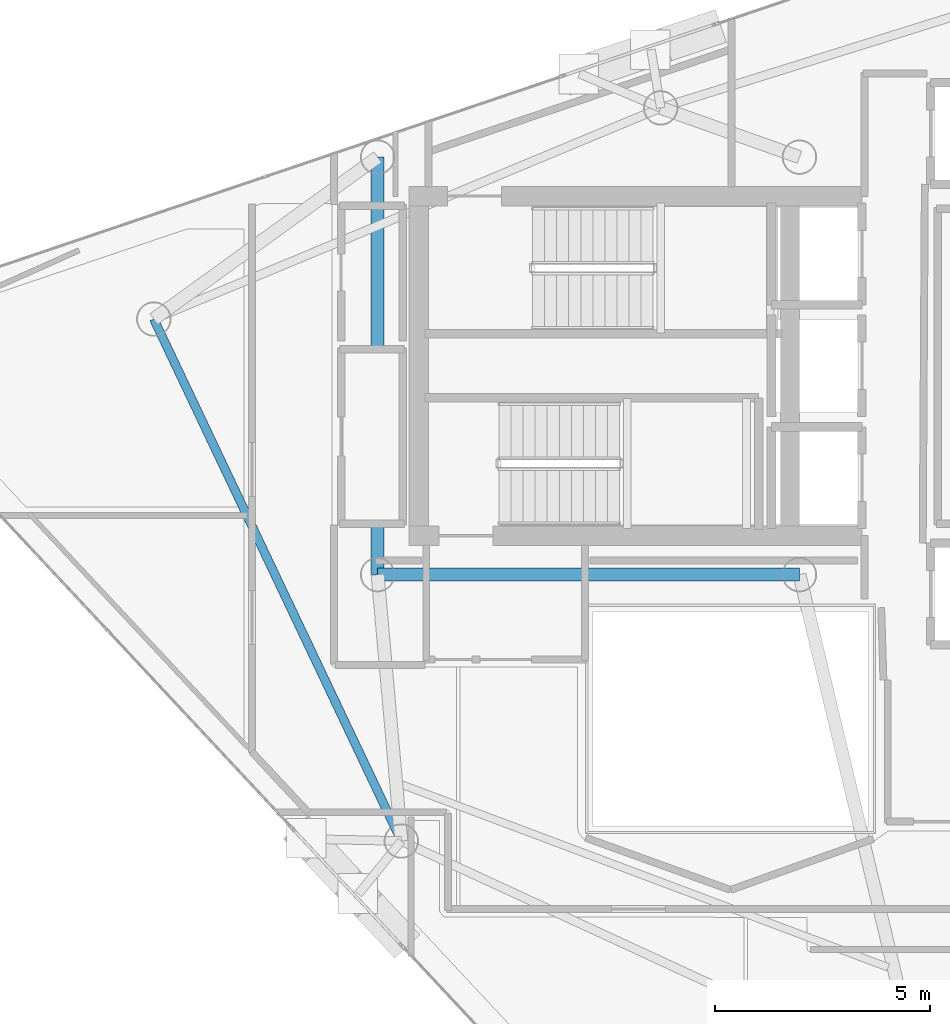
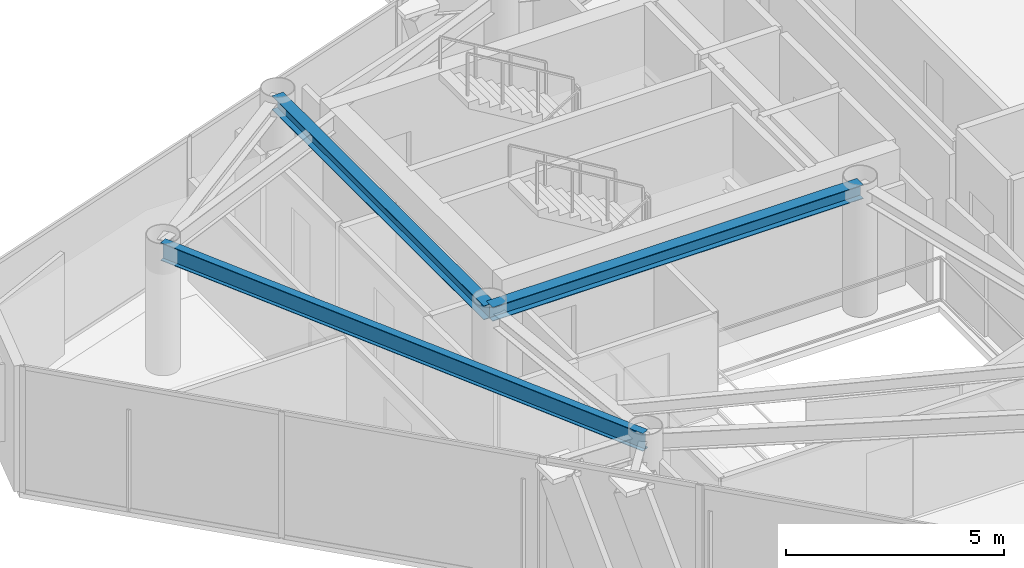
# One storey, part 8 of 19: 3 beams.
"""IFC4 building model written with IfcOpenShell, lengths in metres."""

import ifcopenshell
import ifcopenshell.guid

model = None  # the IFC model being written
_history = None  # IfcOwnerHistory: only IFC2X3 demands one
_inside = {}  # id of a spatial element -> (the spatial element, [elements in it])
_under = {}  # id of a project, library or spatial element -> (it, [spatial elements below it])
_declared = {}  # id of a project -> (the project, [libraries it declares])
_typed = {}  # id of a type object -> (the type object, [elements of that type])
_made_of = {}  # id of a material, layer set ... -> (it, [elements and type objects made of it])


def new_model(schema):
    """Start an empty IFC model of exactly this schema.

    Asked for "IFC4X3", IfcOpenShell would pick the latest addendum, in which some entities
    have other attributes; the version numbers below select the first issue.
    IFC2X3 requires an IfcOwnerHistory on every rooted entity: one is made here for all.
    """
    global model, _history
    if schema == "IFC4X3":
        model = ifcopenshell.file(schema_version=(4, 3, 0, 0))
    else:
        model = ifcopenshell.file(schema=schema)
    _inside.clear()
    _under.clear()
    _declared.clear()
    _typed.clear()
    _made_of.clear()
    _history = None
    if model.schema == "IFC2X3":
        org = make("IfcOrganization", Name="unknown")
        user = make(
            "IfcPersonAndOrganization",
            ThePerson=make("IfcPerson", FamilyName="unknown"),
            TheOrganization=org,
        )
        app = make(
            "IfcApplication",
            ApplicationDeveloper=org,
            Version="unknown",
            ApplicationFullName="unknown",
            ApplicationIdentifier="unknown",
        )
        _history = make(
            "IfcOwnerHistory",
            OwningUser=user,
            OwningApplication=app,
            ChangeAction="ADDED",
            CreationDate=0,
        )
    return model


def make(cls, **values):
    """One entity of the class cls with the attributes given. An attribute that is None is left unset."""
    return model.create_entity(
        cls, **{name: value for name, value in values.items() if value is not None}
    )


def rooted(cls, **values):
    """An entity with a GlobalId (a new one), such as an element, a storey or a relation."""
    return make(cls, GlobalId=ifcopenshell.guid.new(), OwnerHistory=_history, **values)


def si_unit(unit_type, name, prefix=None):
    """IfcSIUnit, for example si_unit("LENGTHUNIT", "METRE", prefix="MILLI")."""
    return make("IfcSIUnit", UnitType=unit_type, Prefix=prefix, Name=name)


def assignment(units):
    """IfcUnitAssignment: the units of a project."""
    return None if units is None else make("IfcUnitAssignment", Units=units)


def point(xyz):
    """IfcCartesianPoint."""
    return None if xyz is None else make("IfcCartesianPoint", Coordinates=xyz)


def direction(xyz):
    """IfcDirection."""
    return None if xyz is None else make("IfcDirection", DirectionRatios=xyz)


def frame(location, z_axis=None, x_axis=None):
    """IfcAxis2Placement3D, a coordinate frame: its origin and axes. An axis left out is left unset."""
    return make(
        "IfcAxis2Placement3D",
        Location=point(location),
        Axis=direction(z_axis),
        RefDirection=direction(x_axis),
    )


def frame_2d(location, x_axis=None):
    """IfcAxis2Placement2D, a coordinate frame in the plane: its origin and x axis."""
    return make(
        "IfcAxis2Placement2D", Location=point(location), RefDirection=direction(x_axis)
    )


def origin():
    """The frame at (0, 0, 0) with its axes left unset."""
    return frame((0.0, 0.0, 0.0))


def origin_2d():
    """The frame at (0, 0) in the plane with its x axis left unset."""
    return frame_2d((0.0, 0.0))


def place(relative_to, where):
    """IfcLocalPlacement: puts the frame where relative to a parent placement (None: the world)."""
    return make(
        "IfcLocalPlacement", PlacementRelTo=relative_to, RelativePlacement=where
    )


def context(
    kind, dimensions, precision=None, world=None, true_north=None, identifier=None
):
    """IfcGeometricRepresentationContext, for example the 3D "Model" context."""
    return make(
        "IfcGeometricRepresentationContext",
        ContextIdentifier=identifier,
        ContextType=kind,
        CoordinateSpaceDimension=dimensions,
        Precision=precision,
        WorldCoordinateSystem=world,
        TrueNorth=true_north,
    )


def subcontext(parent, identifier, kind, view, scale=None):
    """IfcGeometricRepresentationSubContext, for example "Body" below "Model"."""
    return make(
        "IfcGeometricRepresentationSubContext",
        ContextIdentifier=identifier,
        ContextType=kind,
        ParentContext=parent,
        TargetScale=scale,
        TargetView=view,
    )


def project(units=None, contexts=None):
    """IfcProject with its units and contexts."""
    return rooted(
        "IfcProject",
        Name="project",
        RepresentationContexts=contexts,
        UnitsInContext=assignment(units),
    )


def spatial(cls, under=None, at=None, **own):
    """A site, building, storey or space (cls), placed at a placement, below another one or the project."""
    s = rooted(cls, ObjectPlacement=at, **own)
    if under is not None:
        _under.setdefault(under.id(), (under, []))[1].append(s)
    return s


def profile(cls, at=None, kind="AREA", **sizes):
    """A parametric profile (cls). Its sizes go by their IFC names, for example OverallWidth=200.0."""
    return make(cls, ProfileType=kind, Position=at, **sizes)


def i_section(**sizes):
    """IfcIShapeProfileDef."""
    return profile("IfcIShapeProfileDef", **sizes)


def extrude(swept, where, along, depth):
    """IfcExtrudedAreaSolid: the profile swept, set in the frame where, extruded along a direction by depth."""
    return make(
        "IfcExtrudedAreaSolid",
        SweptArea=swept,
        Position=where,
        ExtrudedDirection=direction(along),
        Depth=depth,
    )


def shape(context_of_items, identifier, shape_type, items):
    """IfcShapeRepresentation: the items that make up one representation, for example the "Body"."""
    return make(
        "IfcShapeRepresentation",
        ContextOfItems=context_of_items,
        RepresentationIdentifier=identifier,
        RepresentationType=shape_type,
        Items=items,
    )


def material(Name=None, Category=None):
    """IfcMaterial."""
    return make("IfcMaterial", Name=Name, Category=Category)


def material_profile(
    of_material, cross_section, Name=None, Category=None, Priority=None
):
    """IfcMaterialProfile: a cross section and its material."""
    return make(
        "IfcMaterialProfile",
        Name=Name,
        Material=of_material,
        Profile=cross_section,
        Priority=Priority,
        Category=Category,
    )


def profile_set(profiles, Name=None, composite=None):
    """IfcMaterialProfileSet."""
    return make(
        "IfcMaterialProfileSet",
        Name=Name,
        MaterialProfiles=profiles,
        CompositeProfile=composite,
    )


def made_of(thing, what):
    """Note that an element or type object is made of a material, layer set ...; save() writes the relation."""
    if what is not None:
        _made_of.setdefault(what.id(), (what, []))[1].append(thing)
    return thing


def type_object(cls, material=None, **own):
    """A type object (cls), such as IfcWallType, which elements share."""
    return made_of(rooted(cls, **own), material)


def element(
    cls,
    number,
    at=None,
    inside=None,
    cuts=None,
    type_object=None,
    material=None,
    context=None,
    identifier="Body",
    shape_type=None,
    held_by="IfcProductDefinitionShape",
    body=None,
    shapes=None,
    **own,
):
    """One element of the class cls, such as IfcWall. Its Tag is "e" and its number.

    at: its placement. inside: the storey or other place that contains it. cuts: it is an
    opening in that element (IfcRelVoidsElement). A single representation is given by context,
    identifier, shape_type and body (its items); several are given by shapes. held_by: the class
    of the entity that holds the representations. save() writes the other relations.
    """
    e = rooted(cls, Tag="e%d" % number, ObjectPlacement=at, **own)
    if body is not None:
        shapes = [shape(context, identifier, shape_type, body)]
    if shapes is not None:
        e.Representation = make(held_by, Representations=shapes)
    if inside is not None:
        _inside.setdefault(inside.id(), (inside, []))[1].append(e)
    if cuts is not None:
        rooted(
            "IfcRelVoidsElement", RelatingBuildingElement=cuts, RelatedOpeningElement=e
        )
    if type_object is not None:
        _typed.setdefault(type_object.id(), (type_object, []))[1].append(e)
    return made_of(e, material)


def aggregate(whole, parts):
    """IfcRelAggregates: a whole, such as a stair, and the parts it consists of."""
    return rooted("IfcRelAggregates", RelatingObject=whole, RelatedObjects=parts)


def save(model, path):
    """Write the relations noted so far, then the file.

    IfcRelAggregates (storeys below a building ...), IfcRelContainedInSpatialStructure (elements
    in a storey), IfcRelDefinesByType, IfcRelAssociatesMaterial and IfcRelDeclares: one each for
    every whole, place, type object, material and project.
    """
    for whole, parts in _under.values():
        aggregate(whole, parts)
    for where, things in _inside.values():
        rooted(
            "IfcRelContainedInSpatialStructure",
            RelatedElements=things,
            RelatingStructure=where,
        )
    for kind, things in _typed.values():
        rooted("IfcRelDefinesByType", RelatedObjects=things, RelatingType=kind)
    for what, things in _made_of.values():
        rooted("IfcRelAssociatesMaterial", RelatedObjects=things, RelatingMaterial=what)
    for by, libraries in _declared.values():
        rooted("IfcRelDeclares", RelatingContext=by, RelatedDefinitions=libraries)
    model.write(path)


model = new_model("IFC4")

# Units and contexts
model_context = context("Model", 3, precision=1e-05, world=origin(), true_north=direction((0.0, 1.0)))
body_context = subcontext(model_context, "Body", "Model", "MODEL_VIEW")
ifc_project = project(units=[si_unit("LENGTHUNIT", "METRE"), si_unit("AREAUNIT", "SQUARE_METRE"), si_unit("VOLUMEUNIT", "CUBIC_METRE"), si_unit("PLANEANGLEUNIT", "RADIAN"), si_unit("MASSUNIT", "GRAM", prefix="KILO")], contexts=[model_context])

# Site, building, storey
site_placement = place(None, origin())
site = spatial("IfcSite", under=ifc_project, at=site_placement, CompositionType="ELEMENT")
building_placement = place(site_placement, origin())
building = spatial("IfcBuilding", under=site, at=building_placement, Name="Qianvela Tower", CompositionType="ELEMENT")
storey_placement = place(building_placement, frame((0.0, 0.0, 333.300048828125)))
storey = spatial("IfcBuildingStorey", under=building, at=storey_placement, Name="L86", CompositionType="ELEMENT", Elevation=333.300048828125)

# Beams
ifc_material_1 = material(Name="Steel Q355B", Category="steel")
ifc_material_profile_1 = material_profile(ifc_material_1, i_section(OverallWidth=0.300048828125, OverallDepth=0.389892578125, WebThickness=0.010009765625, FlangeThickness=0.01611328125, at=origin_2d()), Name="HM390x300x10x16")
ifc_profile_set_1 = profile_set([ifc_material_profile_1], Name="Steel Q355B")
beam_type_1 = type_object("IfcBeamType", Name="BM-HM390-COLL", PredefinedType="BEAM", material=ifc_profile_set_1)
beam_1_placement = place(storey_placement, frame((28.60009765625, 23.85009765625, 3.322998046875), z_axis=(1.0, 0.0, 0.0), x_axis=(0.0, 1.0, 0.0)))
element("IfcBeam", 1, at=beam_1_placement, inside=storey, type_object=beam_type_1, Name="L86 Core Ring Collector Girder CC1", PredefinedType="BEAM", context=body_context, shape_type="SweptSolid", body=[
    extrude(i_section(OverallWidth=0.300048828125, OverallDepth=0.389892578125, WebThickness=0.010009765625, FlangeThickness=0.01611328125, at=origin_2d()), origin(), (0.0, 0.0, 1.0), 9.7998046875),
])
beam_2_placement = place(storey_placement, frame((28.60009765625, 33.550048828125, 3.322998046875), z_axis=(0.0, -1.0, 0.0), x_axis=(1.0, 0.0, 0.0)))
element("IfcBeam", 2, at=beam_2_placement, inside=storey, type_object=beam_type_1, Name="L86 Core Ring Collector Girder CC2", PredefinedType="BEAM", context=body_context, shape_type="SweptSolid", body=[
    extrude(i_section(OverallWidth=0.300048828125, OverallDepth=0.389892578125, WebThickness=0.010009765625, FlangeThickness=0.01611328125, at=origin_2d()), origin(), (0.0, 0.0, 1.0), 9.699951171875),
])
ifc_material_2 = material(Name="Steel Q355B", Category="steel")
ifc_material_profile_2 = material_profile(ifc_material_2, i_section(OverallWidth=0.199951171875, OverallDepth=0.5, WebThickness=0.010009765625, FlangeThickness=0.01611328125, at=origin_2d()), Name="HN500x200x10x16")
ifc_profile_set_2 = profile_set([ifc_material_profile_2], Name="Steel Q355B")
beam_type_2 = type_object("IfcBeamType", Name="BM-HN500-GIRD", PredefinedType="BEAM", material=ifc_profile_set_2)
beam_3_placement = place(storey_placement, frame((23.39990234375, 29.7890625, 3.26806640625), z_axis=(0.428430375526, -0.903574796753, 0.0), x_axis=(0.903574796753, 0.428430375526, 0.0)))
element("IfcBeam", 3, at=beam_3_placement, inside=storey, type_object=beam_type_2, Name="L86 Perimeter Ring Spandrel Girder 3", PredefinedType="BEAM", context=body_context, shape_type="SweptSolid", body=[
    extrude(i_section(OverallWidth=0.199951171875, OverallDepth=0.5, WebThickness=0.010009765625, FlangeThickness=0.01611328125, at=origin_2d()), origin(), (0.0, 0.0, 1.0), 13.421142578125),
])

save(model, "model.ifc")
